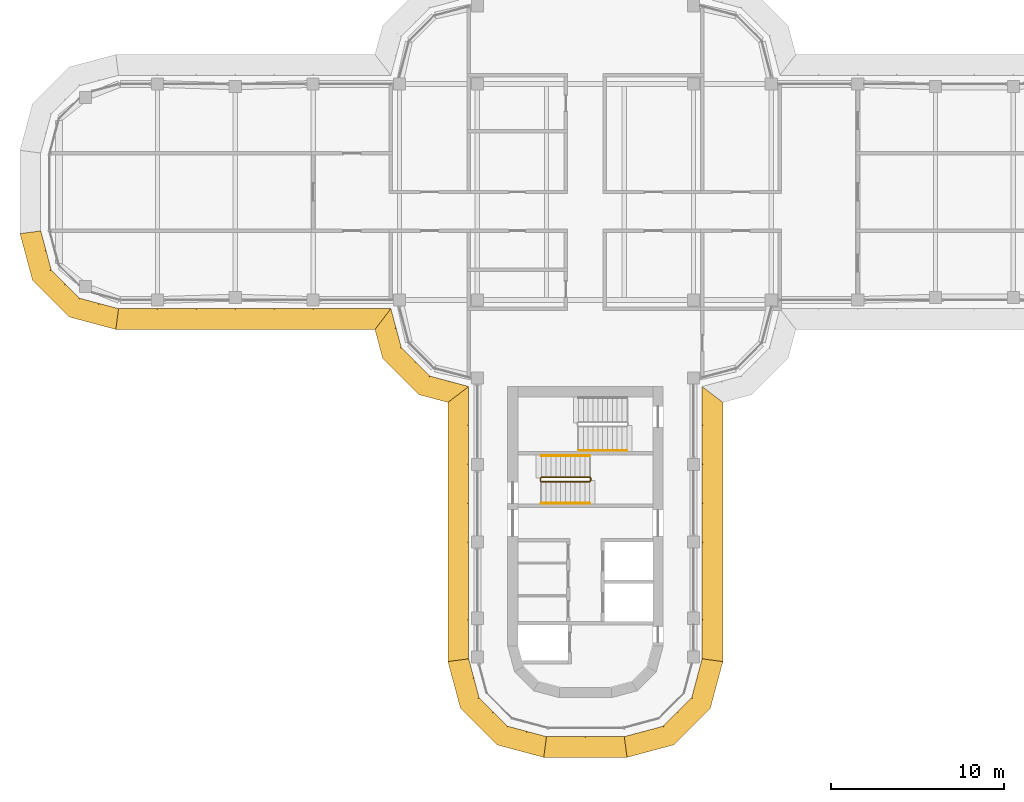
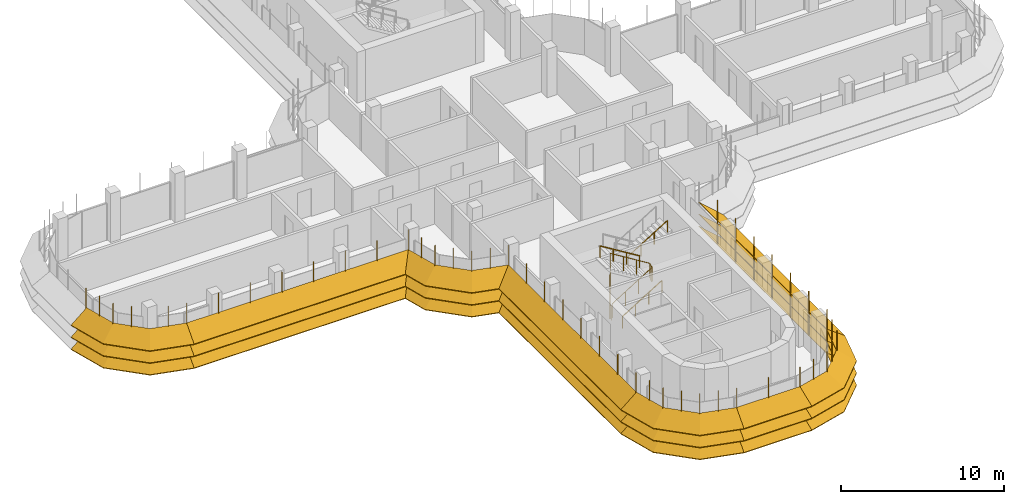
# One storey, part 17 of 19: 8 shading devices, 4 railings.
"""IFC4 building model written with IfcOpenShell, lengths in metres."""

from ifc_helpers import new_model, si_unit, direction, frame, origin, origin_2d, place, context, subcontext, project, spatial, polyline, circle, outline, extrude, faceted_brep, source, transform, mapped, material, type_object, element, save


model = new_model("IFC4")

# Units and contexts
model_context = context("Model", 3, precision=1e-05, world=origin(), true_north=direction((0.0, 1.0)))
body_context = subcontext(model_context, "Body", "Model", "MODEL_VIEW")
ifc_project = project(units=[si_unit("LENGTHUNIT", "METRE"), si_unit("AREAUNIT", "SQUARE_METRE"), si_unit("VOLUMEUNIT", "CUBIC_METRE"), si_unit("PLANEANGLEUNIT", "RADIAN"), si_unit("MASSUNIT", "GRAM", prefix="KILO")], contexts=[model_context])

# Site, building, storey
site_placement = place(None, origin())
site = spatial("IfcSite", under=ifc_project, at=site_placement, CompositionType="ELEMENT")
building_placement = place(site_placement, origin())
building = spatial("IfcBuilding", under=site, at=building_placement, Name="Zarbagh Exchange Tower", CompositionType="ELEMENT")
storey_placement = place(building_placement, frame((0.0, 0.0, 203.0)))
storey = spatial("IfcBuildingStorey", under=building, at=storey_placement, Name="L49", CompositionType="ELEMENT", Elevation=203.0)

# Railings
ifc_material_1 = material(Name="Stainless steel", Category="steel")
railing_type_1 = type_object("IfcRailingType", Name="Stair guard 1100 mm", PredefinedType="GUARDRAIL", material=ifc_material_1)
railing_1_placement = place(storey_placement, frame((-2.550048828125, -16.75, 0.172607421875)))
element("IfcRailing", 1, at=railing_1_placement, inside=storey, type_object=railing_type_1, Name="ST3 stair guard 1", PredefinedType="GUARDRAIL", context=body_context, shape_type="SweptSolid", body=[
    extrude(circle(Radius=0.02392578125, at=origin_2d()), frame((0.0, 0.0, 1.076171875), z_axis=(0.851089632645, 0.0, 0.525020415988), x_axis=(0.0, 1.0, 0.0)), (0.0, 0.0, 1.0), 3.2900390625),
    extrude(circle(Radius=0.02392578125, at=origin_2d()), frame((2.800048828125, 0.0, 2.80322265625), z_axis=(0.707106781187, 0.707106781187, 0.0), x_axis=(-0.707106781187, 0.707106781187, 0.0)), (0.0, 0.0, 1.0), 0.07080078125),
    extrude(circle(Radius=0.02392578125, at=origin_2d()), frame((2.85009765625, 0.050048828125, 2.80322265625), z_axis=(0.0, 1.0, 0.0), x_axis=(-1.0, 0.0, 0.0)), (0.0, 0.0, 1.0), 0.14990234375),
    extrude(circle(Radius=0.02392578125, at=origin_2d()), frame((2.85009765625, 0.199951171875, 2.80322265625), z_axis=(-0.267953482034, 0.267953482034, 0.925419830635), x_axis=(-0.707106781187, -0.707106781187, 0.0)), (0.0, 0.0, 1.0), 0.186767578125),
    extrude(circle(Radius=0.02392578125, at=origin_2d()), frame((2.800048828125, 0.25, 2.97607421875), z_axis=(-0.851089632645, 0.0, 0.525020415988), x_axis=(0.0, -1.0, 0.0)), (0.0, 0.0, 1.0), 3.2900390625),
    extrude(circle(Radius=0.02392578125, at=origin_2d()), frame((0.0, 0.25, 4.70361328125), z_axis=(-0.013168290981, -0.013168290981, -0.999826581076), x_axis=(0.707106781187, -0.707106781187, 0.0)), (0.0, 0.0, 1.0), 3.80078125),
    extrude(circle(Radius=0.02392578125, at=origin_2d()), frame((-0.050048828125, 0.199951171875, 0.9033203125), z_axis=(0.0, -1.0, 0.0), x_axis=(1.0, 0.0, 0.0)), (0.0, 0.0, 1.0), 0.14990234375),
    extrude(circle(Radius=0.02099609375, at=origin_2d()), origin(), (0.0, 0.0, 1.0), 1.052001953125),
    extrude(circle(Radius=0.02099609375, at=origin_2d()), frame((0.933349609375, 0.0, 0.57568359375)), (0.0, 0.0, 1.0), 1.052001953125),
    extrude(circle(Radius=0.02099609375, at=origin_2d()), frame((1.86669921875, 0.0, 1.151611328125)), (0.0, 0.0, 1.0), 1.052001953125),
    extrude(circle(Radius=0.02099609375, at=origin_2d()), frame((2.800048828125, 0.0, 1.727294921875)), (0.0, 0.0, 1.0), 1.052001953125),
    extrude(circle(Radius=0.02099609375, at=origin_2d()), frame((2.85009765625, 0.050048828125, 1.727294921875)), (0.0, 0.0, 1.0), 1.052001953125),
    extrude(circle(Radius=0.02099609375, at=origin_2d()), frame((2.85009765625, 0.199951171875, 1.727294921875)), (0.0, 0.0, 1.0), 1.052001953125),
    extrude(circle(Radius=0.02099609375, at=origin_2d()), frame((2.800048828125, 0.25, 1.900146484375)), (0.0, 0.0, 1.0), 1.052001953125),
    extrude(circle(Radius=0.02099609375, at=origin_2d()), frame((1.86669921875, 0.25, 2.475830078125)), (0.0, 0.0, 1.0), 1.052001953125),
    extrude(circle(Radius=0.02099609375, at=origin_2d()), frame((0.933349609375, 0.25, 3.0517578125)), (0.0, 0.0, 1.0), 1.052001953125),
    extrude(circle(Radius=0.02099609375, at=origin_2d()), frame((0.0, 0.25, 3.62744140625)), (0.0, 0.0, 1.0), 1.052001953125),
    extrude(circle(Radius=0.02099609375, at=origin_2d()), frame((-0.012451171875, 0.237548828125, 2.677490234375)), (0.0, 0.0, 1.0), 1.052001953125),
    extrude(circle(Radius=0.02099609375, at=origin_2d()), frame((-0.02490234375, 0.22509765625, 1.7275390625)), (0.0, 0.0, 1.0), 1.052001953125),
    extrude(circle(Radius=0.02099609375, at=origin_2d()), frame((-0.03759765625, 0.21240234375, 0.77734375)), (0.0, 0.0, 1.0), 1.052001953125),
    extrude(circle(Radius=0.02099609375, at=origin_2d()), frame((-0.050048828125, 0.199951171875, -0.172607421875)), (0.0, 0.0, 1.0), 1.052001953125),
    extrude(circle(Radius=0.02099609375, at=origin_2d()), frame((-0.050048828125, 0.050048828125, -0.172607421875)), (0.0, 0.0, 1.0), 1.052001953125),
])
railing_type_2 = type_object("IfcRailingType", Name="Stair handrail 900 mm", PredefinedType="HANDRAIL", material=ifc_material_1)
railing_2_placement = place(storey_placement, frame((-2.550048828125, -18.0, 0.172607421875)))
element("IfcRailing", 2, at=railing_2_placement, inside=storey, type_object=railing_type_2, Name="ST3 stair handrail 1", PredefinedType="HANDRAIL", context=body_context, shape_type="SweptSolid", body=[
    extrude(circle(Radius=0.02392578125, at=origin_2d()), frame((0.0, 0.0, 0.8759765625), z_axis=(0.851089632645, 0.0, 0.525020415988), x_axis=(0.0, 1.0, 0.0)), (0.0, 0.0, 1.0), 3.2900390625),
    extrude(circle(Radius=0.02099609375, at=origin_2d()), origin(), (0.0, 0.0, 1.0), 0.851806640625),
    extrude(circle(Radius=0.02099609375, at=origin_2d()), frame((0.933349609375, 0.0, 0.57568359375)), (0.0, 0.0, 1.0), 0.851806640625),
    extrude(circle(Radius=0.02099609375, at=origin_2d()), frame((1.86669921875, 0.0, 1.151611328125)), (0.0, 0.0, 1.0), 0.851806640625),
    extrude(circle(Radius=0.02099609375, at=origin_2d()), frame((2.800048828125, 0.0, 1.727294921875)), (0.0, 0.0, 1.0), 0.851806640625),
])
railing_3_placement = place(storey_placement, frame((0.25, -15.25, 2.07275390625)))
element("IfcRailing", 3, at=railing_3_placement, inside=storey, type_object=railing_type_2, Name="ST3 stair handrail 2", PredefinedType="HANDRAIL", context=body_context, shape_type="SweptSolid", body=[
    extrude(circle(Radius=0.02392578125, at=origin_2d()), frame((0.0, 0.0, 0.8759765625), z_axis=(-0.851089632645, 0.0, 0.525020415988), x_axis=(0.0, -1.0, 0.0)), (0.0, 0.0, 1.0), 3.2900390625),
    extrude(circle(Radius=0.02099609375, at=origin_2d()), origin(), (0.0, 0.0, 1.0), 0.851806640625),
    extrude(circle(Radius=0.02099609375, at=origin_2d()), frame((-0.933349609375, 0.0, 0.57568359375)), (0.0, 0.0, 1.0), 0.851806640625),
    extrude(circle(Radius=0.02099609375, at=origin_2d()), frame((-1.86669921875, 0.0, 1.151611328125)), (0.0, 0.0, 1.0), 0.851806640625),
    extrude(circle(Radius=0.02099609375, at=origin_2d()), frame((-2.800048828125, 0.0, 1.727294921875)), (0.0, 0.0, 1.0), 0.851806640625),
])
railing_4_placement = place(storey_placement, frame((-0.39990234375, -14.949951171875, 2.07275390625)))
element("IfcRailing", 4, at=railing_4_placement, inside=storey, type_object=railing_type_2, Name="ST4 stair handrail 2", PredefinedType="HANDRAIL", context=body_context, shape_type="SweptSolid", body=[
    extrude(circle(Radius=0.02392578125, at=origin_2d()), frame((0.0, 0.0, 0.8759765625), z_axis=(0.851069175582, 0.0, 0.525053576669), x_axis=(0.0, 1.0, 0.0)), (0.0, 0.0, 1.0), 3.289794921875),
    extrude(circle(Radius=0.02099609375, at=origin_2d()), origin(), (0.0, 0.0, 1.0), 0.851806640625),
    extrude(circle(Radius=0.02099609375, at=origin_2d()), frame((0.933349609375, 0.0, 0.57568359375)), (0.0, 0.0, 1.0), 0.851806640625),
    extrude(circle(Radius=0.02099609375, at=origin_2d()), frame((1.866455078125, 0.0, 1.151611328125)), (0.0, 0.0, 1.0), 0.851806640625),
    extrude(circle(Radius=0.02099609375, at=origin_2d()), frame((2.7998046875, 0.0, 1.727294921875)), (0.0, 0.0, 1.0), 0.851806640625),
])

# Shading devices
ifc_material_2 = material(Name="Anodised aluminium blades and brackets", Category="aluminium")
shading_device_type = type_object("IfcShadingDeviceType", Name="SUNSHADE louvre band, 33.75 degree blades", PredefinedType="JALOUSIE", material=ifc_material_2)
shared_shape_1 = source(origin(), body_context, "Body", "Brep", [
    faceted_brep([(0.0, 0.0, 0.0), (0.0, 0.0, -0.048095703125), (-0.157958984375, -1.199951171875, -0.849853515625), (-0.157958984375, -1.199951171875, -0.8017578125), (2.65087890625, -1.199951171875, -0.8017578125), (2.65087890625, -1.199951171875, -0.849853515625), (2.329345703125, 0.0, -0.048095703125), (2.329345703125, 0.0, 0.0)], [[[0, 1, 2, 3]], [[4, 5, 6, 7]], [[0, 7, 6, 1]], [[1, 6, 5, 2]], [[2, 5, 4, 3]], [[3, 4, 7, 0]]]),
])
shared_shape_2 = source(origin(), body_context, "Body", "Brep", [
    faceted_brep([(0.0, 0.0, 0.0), (0.0, 0.0, -0.048095703125), (-0.321533203125, -1.199951171875, -0.849853515625), (-0.321533203125, -1.199951171875, -0.8017578125), (2.65087890625, -1.199951171875, -0.8017578125), (2.65087890625, -1.199951171875, -0.849853515625), (2.329345703125, 0.0, -0.048095703125), (2.329345703125, 0.0, 0.0)], [[[0, 1, 2, 3]], [[4, 5, 6, 7]], [[0, 7, 6, 1]], [[1, 6, 5, 2]], [[2, 5, 4, 3]], [[3, 4, 7, 0]]]),
])
shared_shape_3 = source(origin(), body_context, "Body", "Brep", [
    faceted_brep([(0.0, 0.0, 0.0), (0.0, 0.0, -0.048095703125), (-0.321533203125, -1.199951171875, -0.849853515625), (-0.321533203125, -1.199951171875, -0.8017578125), (2.4873046875, -1.199951171875, -0.8017578125), (2.4873046875, -1.199951171875, -0.849853515625), (2.329345703125, 0.0, -0.048095703125), (2.329345703125, 0.0, 0.0)], [[[0, 1, 2, 3]], [[4, 5, 6, 7]], [[0, 7, 6, 1]], [[1, 6, 5, 2]], [[2, 5, 4, 3]], [[3, 4, 7, 0]]]),
])
shared_shape_4 = source(origin(), body_context, "Body", "SweptSolid", [
    extrude(outline(polyline([(0.0, -0.012451171875), (0.06005859375, -0.012451171875), (0.06005859375, 0.012451171875), (0.0, 0.012451171875), (0.0, -0.012451171875)])), origin(), (0.0, 0.0, 1.0), 3.358154296875),
])
placement = place(storey_placement, origin())
element("IfcShadingDevice", 5, at=placement, inside=storey, type_object=shading_device_type, Name="SS35 sunshade band", PredefinedType="JALOUSIE", context=body_context, shape_type="MappedRepresentation", body=[
    mapped(shared_shape_1, transform((2.25, -31.5, 2.300048828125), x_axis=(0.965924289636, 0.258824779902, 0.0), y_axis=(-0.258824779902, 0.965924289636, 0.0), z_axis=(0.0, 0.0, 1.0))),
    mapped(shared_shape_1, transform((2.25, -31.5, 1.39990234375), x_axis=(0.965924289636, 0.258824779902, 0.0), y_axis=(-0.258824779902, 0.965924289636, 0.0), z_axis=(0.0, 0.0, 1.0))),
    mapped(shared_shape_1, transform((2.25, -31.5, 0.5), x_axis=(0.965924289636, 0.258824779902, 0.0), y_axis=(-0.258824779902, 0.965924289636, 0.0), z_axis=(0.0, 0.0, 1.0))),
    mapped(shared_shape_2, transform((4.5, -30.897216796875, 2.300048828125), x_axis=(0.707106781187, 0.707106781187, 0.0), y_axis=(-0.707106781187, 0.707106781187, 0.0), z_axis=(0.0, 0.0, 1.0))),
    mapped(shared_shape_2, transform((4.5, -30.897216796875, 1.39990234375), x_axis=(0.707106781187, 0.707106781187, 0.0), y_axis=(-0.707106781187, 0.707106781187, 0.0), z_axis=(0.0, 0.0, 1.0))),
    mapped(shared_shape_2, transform((4.5, -30.897216796875, 0.5), x_axis=(0.707106781187, 0.707106781187, 0.0), y_axis=(-0.707106781187, 0.707106781187, 0.0), z_axis=(0.0, 0.0, 1.0))),
    mapped(shared_shape_3, transform((6.147216796875, -29.25, 2.300048828125), x_axis=(0.258824779902, 0.965924289636, 0.0), y_axis=(-0.965924289636, 0.258824779902, 0.0), z_axis=(0.0, 0.0, 1.0))),
    mapped(shared_shape_3, transform((6.147216796875, -29.25, 1.39990234375), x_axis=(0.258824779902, 0.965924289636, 0.0), y_axis=(-0.965924289636, 0.258824779902, 0.0), z_axis=(0.0, 0.0, 1.0))),
    mapped(shared_shape_3, transform((6.147216796875, -29.25, 0.5), x_axis=(0.258824779902, 0.965924289636, 0.0), y_axis=(-0.965924289636, 0.258824779902, 0.0), z_axis=(0.0, 0.0, 1.0))),
    mapped(shared_shape_4, transform((2.25, -31.5, 0.421875), x_axis=(0.130529263012, -0.991444457092, 0.0), y_axis=(0.991444457092, 0.130529263012, 0.0), z_axis=(0.0, 0.0, 1.0))),
    mapped(shared_shape_4, transform((3.375, -31.198486328125, 0.421875), x_axis=(0.258825058029, -0.96592421511, 0.0), y_axis=(0.96592421511, 0.258825058029, 0.0), z_axis=(0.0, 0.0, 1.0))),
    mapped(shared_shape_4, transform((4.5, -30.897216796875, 0.421875), x_axis=(0.50000275701, -0.866023812018, 0.0), y_axis=(0.866023812018, 0.50000275701, 0.0), z_axis=(0.0, 0.0, 1.0))),
    mapped(shared_shape_4, transform((5.323486328125, -30.073486328125, 0.421875), x_axis=(0.707106781187, -0.707106781187, 0.0), y_axis=(0.707106781187, 0.707106781187, 0.0), z_axis=(0.0, 0.0, 1.0))),
    mapped(shared_shape_4, transform((6.147216796875, -29.25, 0.421875), x_axis=(0.866023812018, -0.50000275701, 0.0), y_axis=(0.50000275701, 0.866023812018, 0.0), z_axis=(0.0, 0.0, 1.0))),
    mapped(shared_shape_4, transform((6.448486328125, -28.125, 0.421875), x_axis=(0.96592421511, -0.258825058029, 0.0), y_axis=(0.258825058029, 0.96592421511, 0.0), z_axis=(0.0, 0.0, 1.0))),
])
element("IfcShadingDevice", 6, at=placement, inside=storey, type_object=shading_device_type, Name="SS43 sunshade band", PredefinedType="JALOUSIE", context=body_context, shape_type="MappedRepresentation", body=[
    mapped(shared_shape_1, transform((-31.5, -2.25, 2.300048828125), x_axis=(0.258824779902, -0.965924289636, 0.0), y_axis=(0.965924289636, 0.258824779902, 0.0), z_axis=(0.0, 0.0, 1.0))),
    mapped(shared_shape_1, transform((-31.5, -2.25, 1.39990234375), x_axis=(0.258824779902, -0.965924289636, 0.0), y_axis=(0.965924289636, 0.258824779902, 0.0), z_axis=(0.0, 0.0, 1.0))),
    mapped(shared_shape_1, transform((-31.5, -2.25, 0.5), x_axis=(0.258824779902, -0.965924289636, 0.0), y_axis=(0.965924289636, 0.258824779902, 0.0), z_axis=(0.0, 0.0, 1.0))),
    mapped(shared_shape_2, transform((-30.897216796875, -4.5, 2.300048828125), x_axis=(0.707106781187, -0.707106781187, 0.0), y_axis=(0.707106781187, 0.707106781187, 0.0), z_axis=(0.0, 0.0, 1.0))),
    mapped(shared_shape_2, transform((-30.897216796875, -4.5, 1.39990234375), x_axis=(0.707106781187, -0.707106781187, 0.0), y_axis=(0.707106781187, 0.707106781187, 0.0), z_axis=(0.0, 0.0, 1.0))),
    mapped(shared_shape_2, transform((-30.897216796875, -4.5, 0.5), x_axis=(0.707106781187, -0.707106781187, 0.0), y_axis=(0.707106781187, 0.707106781187, 0.0), z_axis=(0.0, 0.0, 1.0))),
    mapped(shared_shape_3, transform((-29.25, -6.147216796875, 2.300048828125), x_axis=(0.965924289636, -0.258824779902, 0.0), y_axis=(0.258824779902, 0.965924289636, 0.0), z_axis=(0.0, 0.0, 1.0))),
    mapped(shared_shape_3, transform((-29.25, -6.147216796875, 1.39990234375), x_axis=(0.965924289636, -0.258824779902, 0.0), y_axis=(0.258824779902, 0.965924289636, 0.0), z_axis=(0.0, 0.0, 1.0))),
    mapped(shared_shape_3, transform((-29.25, -6.147216796875, 0.5), x_axis=(0.965924289636, -0.258824779902, 0.0), y_axis=(0.258824779902, 0.965924289636, 0.0), z_axis=(0.0, 0.0, 1.0))),
    mapped(shared_shape_4, transform((-31.5, -2.25, 0.421875), x_axis=(-0.991444457092, -0.130529263012, 0.0), y_axis=(0.130529263012, -0.991444457092, 0.0), z_axis=(0.0, 0.0, 1.0))),
    mapped(shared_shape_4, transform((-31.198486328125, -3.375, 0.421875), x_axis=(-0.96592421511, -0.258825058029, 0.0), y_axis=(0.258825058029, -0.96592421511, 0.0), z_axis=(0.0, 0.0, 1.0))),
    mapped(shared_shape_4, transform((-30.897216796875, -4.5, 0.421875), x_axis=(-0.866023812018, -0.50000275701, 0.0), y_axis=(0.50000275701, -0.866023812018, 0.0), z_axis=(0.0, 0.0, 1.0))),
    mapped(shared_shape_4, transform((-30.073486328125, -5.323486328125, 0.421875), x_axis=(-0.707106781187, -0.707106781187, 0.0), y_axis=(0.707106781187, -0.707106781187, 0.0), z_axis=(0.0, 0.0, 1.0))),
    mapped(shared_shape_4, transform((-29.25, -6.147216796875, 0.421875), x_axis=(-0.50000275701, -0.866023812018, 0.0), y_axis=(0.866023812018, -0.50000275701, 0.0), z_axis=(0.0, 0.0, 1.0))),
    mapped(shared_shape_4, transform((-28.125, -6.448486328125, 0.421875), x_axis=(-0.258825058029, -0.96592421511, 0.0), y_axis=(0.96592421511, -0.258825058029, 0.0), z_axis=(0.0, 0.0, 1.0))),
])
element("IfcShadingDevice", 7, at=placement, inside=storey, type_object=shading_device_type, Name="SS38 sunshade band", PredefinedType="JALOUSIE", context=body_context, shape_type="MappedRepresentation", body=[
    mapped(shared_shape_1, transform((-6.75, -27.0, 2.300048828125), x_axis=(0.258824779902, -0.965924289636, 0.0), y_axis=(0.965924289636, 0.258824779902, 0.0), z_axis=(0.0, 0.0, 1.0))),
    mapped(shared_shape_1, transform((-6.75, -27.0, 1.39990234375), x_axis=(0.258824779902, -0.965924289636, 0.0), y_axis=(0.965924289636, 0.258824779902, 0.0), z_axis=(0.0, 0.0, 1.0))),
    mapped(shared_shape_1, transform((-6.75, -27.0, 0.5), x_axis=(0.258824779902, -0.965924289636, 0.0), y_axis=(0.965924289636, 0.258824779902, 0.0), z_axis=(0.0, 0.0, 1.0))),
    mapped(shared_shape_2, transform((-6.147216796875, -29.25, 2.300048828125), x_axis=(0.707106781187, -0.707106781187, 0.0), y_axis=(0.707106781187, 0.707106781187, 0.0), z_axis=(0.0, 0.0, 1.0))),
    mapped(shared_shape_2, transform((-6.147216796875, -29.25, 1.39990234375), x_axis=(0.707106781187, -0.707106781187, 0.0), y_axis=(0.707106781187, 0.707106781187, 0.0), z_axis=(0.0, 0.0, 1.0))),
    mapped(shared_shape_2, transform((-6.147216796875, -29.25, 0.5), x_axis=(0.707106781187, -0.707106781187, 0.0), y_axis=(0.707106781187, 0.707106781187, 0.0), z_axis=(0.0, 0.0, 1.0))),
    mapped(shared_shape_3, transform((-4.5, -30.897216796875, 2.300048828125), x_axis=(0.965924289636, -0.258824779902, 0.0), y_axis=(0.258824779902, 0.965924289636, 0.0), z_axis=(0.0, 0.0, 1.0))),
    mapped(shared_shape_3, transform((-4.5, -30.897216796875, 1.39990234375), x_axis=(0.965924289636, -0.258824779902, 0.0), y_axis=(0.258824779902, 0.965924289636, 0.0), z_axis=(0.0, 0.0, 1.0))),
    mapped(shared_shape_3, transform((-4.5, -30.897216796875, 0.5), x_axis=(0.965924289636, -0.258824779902, 0.0), y_axis=(0.258824779902, 0.965924289636, 0.0), z_axis=(0.0, 0.0, 1.0))),
    mapped(shared_shape_4, transform((-6.75, -27.0, 0.421875), x_axis=(-0.991444457092, -0.130529263012, 0.0), y_axis=(0.130529263012, -0.991444457092, 0.0), z_axis=(0.0, 0.0, 1.0))),
    mapped(shared_shape_4, transform((-6.448486328125, -28.125, 0.421875), x_axis=(-0.96592421511, -0.258825058029, 0.0), y_axis=(0.258825058029, -0.96592421511, 0.0), z_axis=(0.0, 0.0, 1.0))),
    mapped(shared_shape_4, transform((-6.147216796875, -29.25, 0.421875), x_axis=(-0.866023812018, -0.50000275701, 0.0), y_axis=(0.50000275701, -0.866023812018, 0.0), z_axis=(0.0, 0.0, 1.0))),
    mapped(shared_shape_4, transform((-5.323486328125, -30.073486328125, 0.421875), x_axis=(-0.707106781187, -0.707106781187, 0.0), y_axis=(0.707106781187, -0.707106781187, 0.0), z_axis=(0.0, 0.0, 1.0))),
    mapped(shared_shape_4, transform((-4.5, -30.897216796875, 0.421875), x_axis=(-0.50000275701, -0.866023812018, 0.0), y_axis=(0.866023812018, -0.50000275701, 0.0), z_axis=(0.0, 0.0, 1.0))),
    mapped(shared_shape_4, transform((-3.375, -31.198486328125, 0.421875), x_axis=(-0.258825058029, -0.96592421511, 0.0), y_axis=(0.96592421511, -0.258825058029, 0.0), z_axis=(0.0, 0.0, 1.0))),
])
shared_shape_5 = source(origin(), body_context, "Body", "Brep", [
    faceted_brep([(0.0, 0.0, 0.0), (0.0, 0.0, -0.048095703125), (0.9208984375, -1.199951171875, -0.849853515625), (0.9208984375, -1.199951171875, -0.8017578125), (2.65087890625, -1.199951171875, -0.8017578125), (2.65087890625, -1.199951171875, -0.849853515625), (2.329345703125, 0.0, -0.048095703125), (2.329345703125, 0.0, 0.0)], [[[0, 1, 2, 3]], [[4, 5, 6, 7]], [[0, 7, 6, 1]], [[1, 6, 5, 2]], [[2, 5, 4, 3]], [[3, 4, 7, 0]]]),
])
shared_shape_6 = source(origin(), body_context, "Body", "Brep", [
    faceted_brep([(0.0, 0.0, 0.0), (0.0, 0.0, -0.048095703125), (-0.321533203125, -1.199951171875, -0.849853515625), (-0.321533203125, -1.199951171875, -0.8017578125), (1.40869140625, -1.199951171875, -0.8017578125), (1.40869140625, -1.199951171875, -0.849853515625), (2.329345703125, 0.0, -0.048095703125), (2.329345703125, 0.0, 0.0)], [[[0, 1, 2, 3]], [[4, 5, 6, 7]], [[0, 7, 6, 1]], [[1, 6, 5, 2]], [[2, 5, 4, 3]], [[3, 4, 7, 0]]]),
])
element("IfcShadingDevice", 8, at=placement, inside=storey, type_object=shading_device_type, Name="SS21 sunshade band", PredefinedType="JALOUSIE", context=body_context, shape_type="MappedRepresentation", body=[
    mapped(shared_shape_5, transform((-11.25, -6.75, 2.300048828125), x_axis=(0.258824779902, -0.965924289636, 0.0), y_axis=(0.965924289636, 0.258824779902, 0.0), z_axis=(0.0, 0.0, 1.0))),
    mapped(shared_shape_5, transform((-11.25, -6.75, 1.39990234375), x_axis=(0.258824779902, -0.965924289636, 0.0), y_axis=(0.965924289636, 0.258824779902, 0.0), z_axis=(0.0, 0.0, 1.0))),
    mapped(shared_shape_5, transform((-11.25, -6.75, 0.5), x_axis=(0.258824779902, -0.965924289636, 0.0), y_axis=(0.965924289636, 0.258824779902, 0.0), z_axis=(0.0, 0.0, 1.0))),
    mapped(shared_shape_2, transform((-10.647216796875, -9.0, 2.300048828125), x_axis=(0.707106781187, -0.707106781187, 0.0), y_axis=(0.707106781187, 0.707106781187, 0.0), z_axis=(0.0, 0.0, 1.0))),
    mapped(shared_shape_2, transform((-10.647216796875, -9.0, 1.39990234375), x_axis=(0.707106781187, -0.707106781187, 0.0), y_axis=(0.707106781187, 0.707106781187, 0.0), z_axis=(0.0, 0.0, 1.0))),
    mapped(shared_shape_2, transform((-10.647216796875, -9.0, 0.5), x_axis=(0.707106781187, -0.707106781187, 0.0), y_axis=(0.707106781187, 0.707106781187, 0.0), z_axis=(0.0, 0.0, 1.0))),
    mapped(shared_shape_6, transform((-9.0, -10.647216796875, 2.300048828125), x_axis=(0.965924289636, -0.258824779902, 0.0), y_axis=(0.258824779902, 0.965924289636, 0.0), z_axis=(0.0, 0.0, 1.0))),
    mapped(shared_shape_6, transform((-9.0, -10.647216796875, 1.39990234375), x_axis=(0.965924289636, -0.258824779902, 0.0), y_axis=(0.258824779902, 0.965924289636, 0.0), z_axis=(0.0, 0.0, 1.0))),
    mapped(shared_shape_6, transform((-9.0, -10.647216796875, 0.5), x_axis=(0.965924289636, -0.258824779902, 0.0), y_axis=(0.258824779902, 0.965924289636, 0.0), z_axis=(0.0, 0.0, 1.0))),
    mapped(shared_shape_4, transform((-11.25, -6.75, 0.421875), x_axis=(-0.608758892, -0.793355287, 0.0), y_axis=(0.793355287, -0.608758892, 0.0), z_axis=(0.0, 0.0, 1.0))),
    mapped(shared_shape_4, transform((-10.948486328125, -7.875, 0.421875), x_axis=(-0.96592421511, -0.258825058029, 0.0), y_axis=(0.258825058029, -0.96592421511, 0.0), z_axis=(0.0, 0.0, 1.0))),
    mapped(shared_shape_4, transform((-10.647216796875, -9.0, 0.421875), x_axis=(-0.866023812018, -0.50000275701, 0.0), y_axis=(0.50000275701, -0.866023812018, 0.0), z_axis=(0.0, 0.0, 1.0))),
    mapped(shared_shape_4, transform((-9.823486328125, -9.823486328125, 0.421875), x_axis=(-0.707106781187, -0.707106781187, 0.0), y_axis=(0.707106781187, -0.707106781187, 0.0), z_axis=(0.0, 0.0, 1.0))),
    mapped(shared_shape_4, transform((-9.0, -10.647216796875, 0.421875), x_axis=(-0.50000275701, -0.866023812018, 0.0), y_axis=(0.866023812018, -0.50000275701, 0.0), z_axis=(0.0, 0.0, 1.0))),
    mapped(shared_shape_4, transform((-7.875, -10.948486328125, 0.421875), x_axis=(-0.258825058029, -0.96592421511, 0.0), y_axis=(0.96592421511, -0.258825058029, 0.0), z_axis=(0.0, 0.0, 1.0))),
])
shared_shape_7 = source(origin(), body_context, "Body", "Brep", [
    faceted_brep([(0.0, 0.0, 0.0), (0.0, 0.0, -0.048095703125), (-0.157958984375, -1.199951171875, -0.849853515625), (-0.157958984375, -1.199951171875, -0.8017578125), (14.8291015625, -1.199951171875, -0.8017578125), (14.8291015625, -1.199951171875, -0.849853515625), (15.75, 0.0, -0.048095703125), (15.75, 0.0, 0.0)], [[[0, 1, 2, 3]], [[4, 5, 6, 7]], [[0, 7, 6, 1]], [[1, 6, 5, 2]], [[2, 5, 4, 3]], [[3, 4, 7, 0]]]),
])
element("IfcShadingDevice", 9, at=placement, inside=storey, type_object=shading_device_type, Name="SS36 sunshade band", PredefinedType="JALOUSIE", context=body_context, shape_type="MappedRepresentation", body=[
    mapped(shared_shape_7, transform((6.75, -27.0, 2.300048828125), x_axis=(0.0, 1.0, 0.0), y_axis=(-1.0, 0.0, 0.0), z_axis=(0.0, 0.0, 1.0))),
    mapped(shared_shape_7, transform((6.75, -27.0, 1.39990234375), x_axis=(0.0, 1.0, 0.0), y_axis=(-1.0, 0.0, 0.0), z_axis=(0.0, 0.0, 1.0))),
    mapped(shared_shape_7, transform((6.75, -27.0, 0.5), x_axis=(0.0, 1.0, 0.0), y_axis=(-1.0, 0.0, 0.0), z_axis=(0.0, 0.0, 1.0))),
    mapped(shared_shape_4, transform((6.75, -27.0, 0.421875), x_axis=(0.991444457092, -0.130529263012, 0.0), y_axis=(0.130529263012, 0.991444457092, 0.0), z_axis=(0.0, 0.0, 1.0))),
    mapped(shared_shape_4, transform((6.75, -24.75, 0.421875), x_axis=(1.0, 0.0, 0.0), y_axis=(0.0, 1.0, 0.0), z_axis=(0.0, 0.0, 1.0))),
    mapped(shared_shape_4, transform((6.75, -22.5, 0.421875), x_axis=(1.0, 0.0, 0.0), y_axis=(0.0, 1.0, 0.0), z_axis=(0.0, 0.0, 1.0))),
    mapped(shared_shape_4, transform((6.75, -20.25, 0.421875), x_axis=(1.0, 0.0, 0.0), y_axis=(0.0, 1.0, 0.0), z_axis=(0.0, 0.0, 1.0))),
    mapped(shared_shape_4, transform((6.75, -18.0, 0.421875), x_axis=(1.0, 0.0, 0.0), y_axis=(0.0, 1.0, 0.0), z_axis=(0.0, 0.0, 1.0))),
    mapped(shared_shape_4, transform((6.75, -15.75, 0.421875), x_axis=(1.0, 0.0, 0.0), y_axis=(0.0, 1.0, 0.0), z_axis=(0.0, 0.0, 1.0))),
    mapped(shared_shape_4, transform((6.75, -13.5, 0.421875), x_axis=(1.0, 0.0, 0.0), y_axis=(0.0, 1.0, 0.0), z_axis=(0.0, 0.0, 1.0))),
])
element("IfcShadingDevice", 10, at=placement, inside=storey, type_object=shading_device_type, Name="SS44 sunshade band", PredefinedType="JALOUSIE", context=body_context, shape_type="MappedRepresentation", body=[
    mapped(shared_shape_7, transform((-27.0, -6.75, 2.300048828125), x_axis=(1.0, 0.0, 0.0), y_axis=(0.0, 1.0, 0.0), z_axis=(0.0, 0.0, 1.0))),
    mapped(shared_shape_7, transform((-27.0, -6.75, 1.39990234375), x_axis=(1.0, 0.0, 0.0), y_axis=(0.0, 1.0, 0.0), z_axis=(0.0, 0.0, 1.0))),
    mapped(shared_shape_7, transform((-27.0, -6.75, 0.5), x_axis=(1.0, 0.0, 0.0), y_axis=(0.0, 1.0, 0.0), z_axis=(0.0, 0.0, 1.0))),
    mapped(shared_shape_4, transform((-27.0, -6.75, 0.421875), x_axis=(-0.130529263012, -0.991444457092, 0.0), y_axis=(0.991444457092, -0.130529263012, 0.0), z_axis=(0.0, 0.0, 1.0))),
    mapped(shared_shape_4, transform((-24.75, -6.75, 0.421875), x_axis=(0.0, -1.0, 0.0), y_axis=(1.0, 0.0, 0.0), z_axis=(0.0, 0.0, 1.0))),
    mapped(shared_shape_4, transform((-22.5, -6.75, 0.421875), x_axis=(0.0, -1.0, 0.0), y_axis=(1.0, 0.0, 0.0), z_axis=(0.0, 0.0, 1.0))),
    mapped(shared_shape_4, transform((-20.25, -6.75, 0.421875), x_axis=(0.0, -1.0, 0.0), y_axis=(1.0, 0.0, 0.0), z_axis=(0.0, 0.0, 1.0))),
    mapped(shared_shape_4, transform((-18.0, -6.75, 0.421875), x_axis=(0.0, -1.0, 0.0), y_axis=(1.0, 0.0, 0.0), z_axis=(0.0, 0.0, 1.0))),
    mapped(shared_shape_4, transform((-15.75, -6.75, 0.421875), x_axis=(0.0, -1.0, 0.0), y_axis=(1.0, 0.0, 0.0), z_axis=(0.0, 0.0, 1.0))),
    mapped(shared_shape_4, transform((-13.5, -6.75, 0.421875), x_axis=(0.0, -1.0, 0.0), y_axis=(1.0, 0.0, 0.0), z_axis=(0.0, 0.0, 1.0))),
])
shared_shape_8 = source(origin(), body_context, "Body", "Brep", [
    faceted_brep([(0.0, 0.0, 0.0), (0.0, 0.0, -0.048095703125), (0.9208984375, -1.199951171875, -0.849853515625), (0.9208984375, -1.199951171875, -0.8017578125), (15.907958984375, -1.199951171875, -0.8017578125), (15.907958984375, -1.199951171875, -0.849853515625), (15.75, 0.0, -0.048095703125), (15.75, 0.0, 0.0)], [[[0, 1, 2, 3]], [[4, 5, 6, 7]], [[0, 7, 6, 1]], [[1, 6, 5, 2]], [[2, 5, 4, 3]], [[3, 4, 7, 0]]]),
])
element("IfcShadingDevice", 11, at=placement, inside=storey, type_object=shading_device_type, Name="SS37 sunshade band", PredefinedType="JALOUSIE", context=body_context, shape_type="MappedRepresentation", body=[
    mapped(shared_shape_8, transform((-6.75, -11.25, 2.300048828125), x_axis=(0.0, -1.0, 0.0), y_axis=(1.0, 0.0, 0.0), z_axis=(0.0, 0.0, 1.0))),
    mapped(shared_shape_8, transform((-6.75, -11.25, 1.39990234375), x_axis=(0.0, -1.0, 0.0), y_axis=(1.0, 0.0, 0.0), z_axis=(0.0, 0.0, 1.0))),
    mapped(shared_shape_8, transform((-6.75, -11.25, 0.5), x_axis=(0.0, -1.0, 0.0), y_axis=(1.0, 0.0, 0.0), z_axis=(0.0, 0.0, 1.0))),
    mapped(shared_shape_4, transform((-6.75, -11.25, 0.421875), x_axis=(-0.793355287, -0.608758892, 0.0), y_axis=(0.608758892, -0.793355287, 0.0), z_axis=(0.0, 0.0, 1.0))),
    mapped(shared_shape_4, transform((-6.75, -13.5, 0.421875), x_axis=(-1.0, 0.0, 0.0), y_axis=(0.0, -1.0, 0.0), z_axis=(0.0, 0.0, 1.0))),
    mapped(shared_shape_4, transform((-6.75, -15.75, 0.421875), x_axis=(-1.0, 0.0, 0.0), y_axis=(0.0, -1.0, 0.0), z_axis=(0.0, 0.0, 1.0))),
    mapped(shared_shape_4, transform((-6.75, -18.0, 0.421875), x_axis=(-1.0, 0.0, 0.0), y_axis=(0.0, -1.0, 0.0), z_axis=(0.0, 0.0, 1.0))),
    mapped(shared_shape_4, transform((-6.75, -20.25, 0.421875), x_axis=(-1.0, 0.0, 0.0), y_axis=(0.0, -1.0, 0.0), z_axis=(0.0, 0.0, 1.0))),
    mapped(shared_shape_4, transform((-6.75, -22.5, 0.421875), x_axis=(-1.0, 0.0, 0.0), y_axis=(0.0, -1.0, 0.0), z_axis=(0.0, 0.0, 1.0))),
    mapped(shared_shape_4, transform((-6.75, -24.75, 0.421875), x_axis=(-1.0, 0.0, 0.0), y_axis=(0.0, -1.0, 0.0), z_axis=(0.0, 0.0, 1.0))),
])
shared_shape_9 = source(origin(), body_context, "Body", "Brep", [
    faceted_brep([(0.0, 0.0, 0.0), (0.0, 0.0, -0.048095703125), (-0.157958984375, -1.199951171875, -0.849853515625), (-0.157958984375, -1.199951171875, -0.8017578125), (4.657958984375, -1.199951171875, -0.8017578125), (4.657958984375, -1.199951171875, -0.849853515625), (4.5, 0.0, -0.048095703125), (4.5, 0.0, 0.0)], [[[0, 1, 2, 3]], [[4, 5, 6, 7]], [[0, 7, 6, 1]], [[1, 6, 5, 2]], [[2, 5, 4, 3]], [[3, 4, 7, 0]]]),
])
element("IfcShadingDevice", 12, at=placement, inside=storey, type_object=shading_device_type, Name="SS39 sunshade band", PredefinedType="JALOUSIE", context=body_context, shape_type="MappedRepresentation", body=[
    mapped(shared_shape_9, transform((-2.25, -31.5, 2.300048828125), x_axis=(1.0, 0.0, 0.0), y_axis=(0.0, 1.0, 0.0), z_axis=(0.0, 0.0, 1.0))),
    mapped(shared_shape_9, transform((-2.25, -31.5, 1.39990234375), x_axis=(1.0, 0.0, 0.0), y_axis=(0.0, 1.0, 0.0), z_axis=(0.0, 0.0, 1.0))),
    mapped(shared_shape_9, transform((-2.25, -31.5, 0.5), x_axis=(1.0, 0.0, 0.0), y_axis=(0.0, 1.0, 0.0), z_axis=(0.0, 0.0, 1.0))),
    mapped(shared_shape_4, transform((-2.25, -31.5, 0.421875), x_axis=(-0.130529263012, -0.991444457092, 0.0), y_axis=(0.991444457092, -0.130529263012, 0.0), z_axis=(0.0, 0.0, 1.0))),
    mapped(shared_shape_4, transform((0.0, -31.5, 0.421875), x_axis=(0.0, -1.0, 0.0), y_axis=(1.0, 0.0, 0.0), z_axis=(0.0, 0.0, 1.0))),
])

save(model, "model.ifc")
